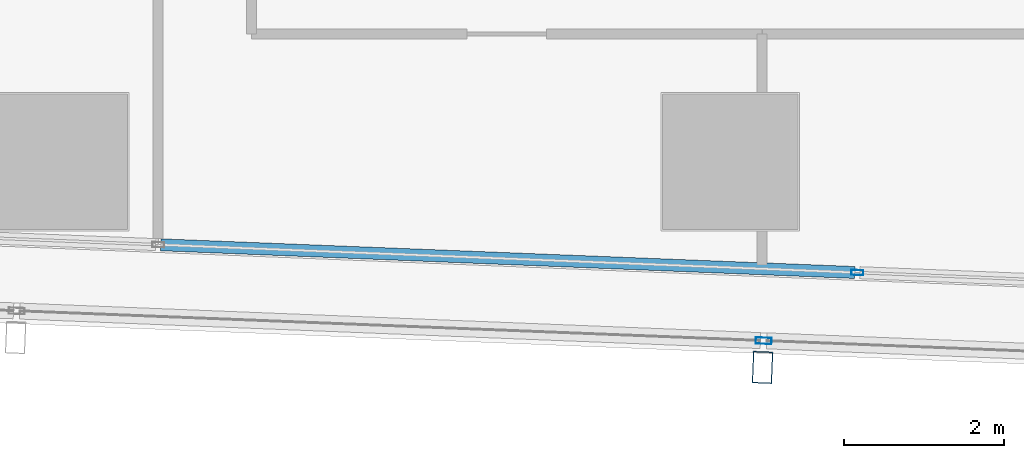
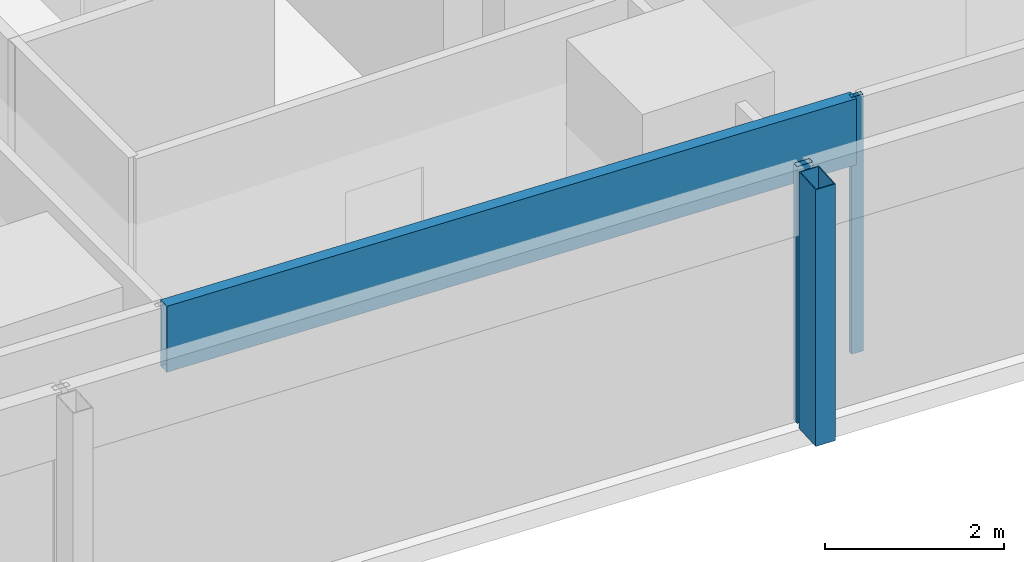
# One storey, part 6 of 34: 4 members, 2 elements without a shape of their own.
"""IFC4 building model written with IfcOpenShell, lengths in metres."""

from ifc_helpers import new_model, si_unit, direction, frame, origin, origin_2d, place, context, subcontext, project, spatial, hollow_rectangle, extrude, material, material_profile, profile_set, type_object, element, aggregate, save


model = new_model("IFC4")

# Units and contexts
model_context = context("Model", 3, precision=1e-05, world=origin(), true_north=direction((0.0, 1.0)))
body_context = subcontext(model_context, "Body", "Model", "MODEL_VIEW")
ifc_project = project(units=[si_unit("LENGTHUNIT", "METRE"), si_unit("AREAUNIT", "SQUARE_METRE"), si_unit("VOLUMEUNIT", "CUBIC_METRE"), si_unit("PLANEANGLEUNIT", "RADIAN"), si_unit("MASSUNIT", "GRAM", prefix="KILO")], contexts=[model_context])

# Site, building, storey
site_placement = place(None, origin())
site = spatial("IfcSite", under=ifc_project, at=site_placement, CompositionType="ELEMENT")
building_placement = place(site_placement, origin())
building = spatial("IfcBuilding", under=site, at=building_placement, Name="Rekha Terrace Tower", CompositionType="ELEMENT")
storey_placement = place(building_placement, frame((0.0, 0.0, 176.449951171875)))
storey = spatial("IfcBuildingStorey", under=building, at=storey_placement, Name="L44", CompositionType="ELEMENT", Elevation=176.449951171875)

# Curtain wall, member
ifc_material_1 = material(Name="Aluminium framing", Category="aluminium")
curtain_wall_type_1 = type_object("IfcCurtainWallType", Name="CW2 double skin outer glazing", PredefinedType="USERDEFINED", material=ifc_material_1)
curtain_wall_1_placement = place(storey_placement, origin())
curtain_wall_1 = element("IfcCurtainWall", 1, at=curtain_wall_1_placement, inside=storey, type_object=curtain_wall_type_1, Name="CW2 double skin outer glazing", ObjectType="DOUBLE SKIN OUTER GLAZING", PredefinedType="USERDEFINED")
ifc_material_2 = material(Name="Steel S355 with fluorocarbon finish", Category="steel")
ifc_material_profile_1 = material_profile(ifc_material_2, hollow_rectangle(XDim=0.25, YDim=0.39990234375, WallThickness=0.012451171875, at=origin_2d()), Name="RHS400x250x12.5")
ifc_profile_set_1 = profile_set([ifc_material_profile_1], Name="Steel S355 with fluorocarbon finish")
member_type_1 = type_object("IfcMemberType", Name="BL1 facade blade RHS 400 x 250", PredefinedType="USERDEFINED", material=ifc_profile_set_1)
member_1_placement = place(storey_placement, frame((25.60498046875, 14.222412109375, 0.0), z_axis=(0.0, 0.0, 1.0), x_axis=(0.999204797763, -0.039871946621, 0.0)))
member_1 = element("IfcMember", 2, at=member_1_placement, type_object=member_type_1, Name="Facade blade", ObjectType="FACADE BLADE", PredefinedType="USERDEFINED", context=body_context, shape_type="SweptSolid", body=[
    extrude(hollow_rectangle(XDim=0.25, YDim=0.39990234375, WallThickness=0.012451171875, at=origin_2d()), origin(), (0.0, 0.0, 1.0), 3.5),
])

# Curtain wall, members
curtain_wall_type_2 = type_object("IfcCurtainWallType", Name="CW1 double skin inner glazing", PredefinedType="USERDEFINED", material=ifc_material_1)
curtain_wall_2_placement = place(storey_placement, origin())
curtain_wall_2 = element("IfcCurtainWall", 3, at=curtain_wall_2_placement, inside=storey, type_object=curtain_wall_type_2, Name="CW1 double skin inner glazing", ObjectType="DOUBLE SKIN INNER GLAZING", PredefinedType="USERDEFINED")
ifc_material_3 = material(Name="Aluminium mullion section", Category="aluminium")
ifc_material_profile_2 = material_profile(ifc_material_3, hollow_rectangle(XDim=0.06494140625, YDim=0.14990234375, WallThickness=0.00390625, at=origin_2d()), Name="AL RHS 65x150")
ifc_profile_set_2 = profile_set([ifc_material_profile_2], Name="Aluminium mullion section")
member_type_2 = type_object("IfcMemberType", Name="CW1 mullion RHS 65 x 150", PredefinedType="MULLION", material=ifc_profile_set_2)
member_2_placement = place(storey_placement, frame((26.792724609375, 15.4111328125, 0.0), z_axis=(0.0, 0.0, 1.0), x_axis=(0.039872497044, 0.999204775799, 0.0)))
member_2 = element("IfcMember", 4, at=member_2_placement, type_object=member_type_2, Name="CW1 mullion 3", PredefinedType="MULLION", context=body_context, shape_type="SweptSolid", body=[
    extrude(hollow_rectangle(XDim=0.06494140625, YDim=0.14990234375, WallThickness=0.00390625, at=origin_2d()), origin(), (0.0, 0.0, 1.0), 3.5),
])
ifc_material_4 = material(Name="Insulated aluminium spandrel box", Category="aluminium")
ifc_material_profile_3 = material_profile(ifc_material_4, hollow_rectangle(XDim=0.14990234375, YDim=0.89990234375, WallThickness=0.0029296875, at=origin_2d()), Name="AL SPANDREL BOX 150x900")
ifc_profile_set_3 = profile_set([ifc_material_profile_3], Name="Insulated aluminium spandrel box")
member_type_3 = type_object("IfcMemberType", Name="CW1 spandrel transom 150 x 900", PredefinedType="USERDEFINED", material=ifc_profile_set_3)
member_3_placement = place(storey_placement, frame((18.065673828125, 15.75927734375, 3.050048828125), z_axis=(0.999204898015, -0.039869434198, 0.0), x_axis=(0.039869434198, 0.999204898015, 0.0)))
member_3 = element("IfcMember", 5, at=member_3_placement, type_object=member_type_3, Name="CW1 spandrel transom 2", ObjectType="TRANSOM", PredefinedType="USERDEFINED", context=body_context, shape_type="SweptSolid", body=[
    extrude(hollow_rectangle(XDim=0.14990234375, YDim=0.89990234375, WallThickness=0.0029296875, at=origin_2d()), origin(), (0.0, 0.0, 1.0), 8.701416015625),
])
aggregate(curtain_wall_2, [member_2, member_3])

# Member
ifc_material_profile_4 = material_profile(ifc_material_3, hollow_rectangle(XDim=0.080078125, YDim=0.199951171875, WallThickness=0.00390625, at=origin_2d()), Name="AL RHS 80x200")
ifc_profile_set_4 = profile_set([ifc_material_profile_4], Name="Aluminium mullion section")
member_type_4 = type_object("IfcMemberType", Name="CW2 mullion RHS 80 x 200", PredefinedType="MULLION", material=ifc_profile_set_4)
member_4_placement = place(storey_placement, frame((25.618408203125, 14.55712890625, 0.0), z_axis=(0.0, 0.0, 1.0), x_axis=(0.039872497044, 0.999204775799, 0.0)))
member_4 = element("IfcMember", 6, at=member_4_placement, type_object=member_type_4, Name="CW2 mullion 3", PredefinedType="MULLION", context=body_context, shape_type="SweptSolid", body=[
    extrude(hollow_rectangle(XDim=0.080078125, YDim=0.199951171875, WallThickness=0.00390625, at=origin_2d()), origin(), (0.0, 0.0, 1.0), 3.5),
])

aggregate(curtain_wall_1, [member_4, member_1])

save(model, "model.ifc")
